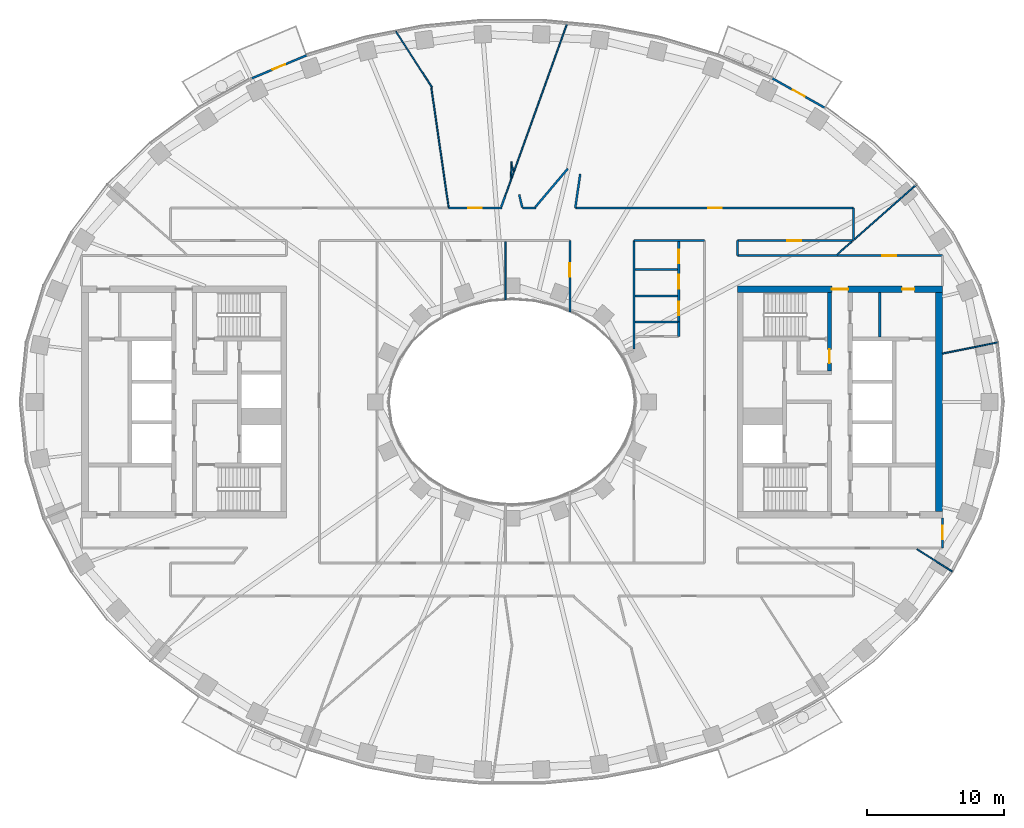
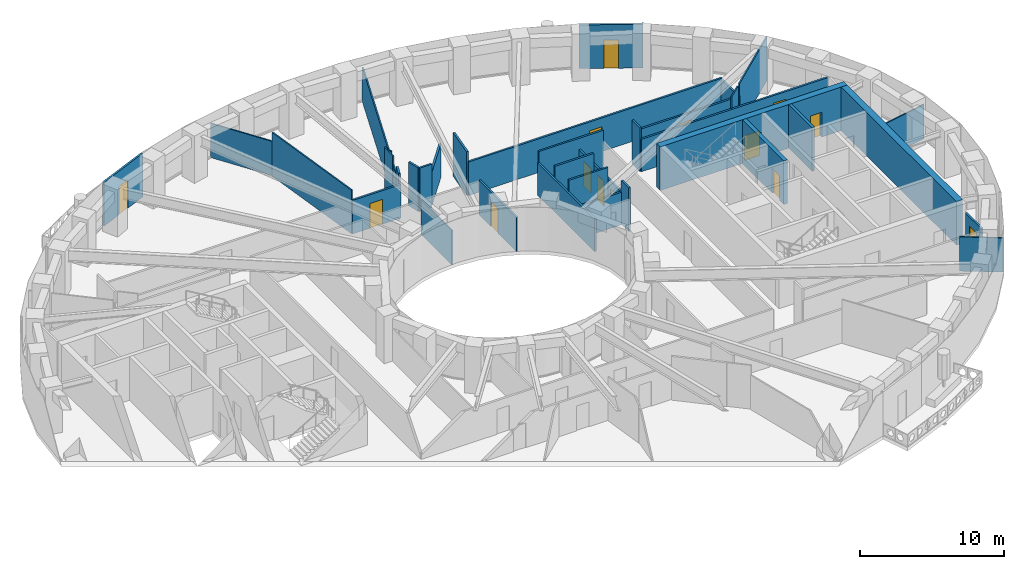
# One storey, part 6 of 15: 36 walls, 14 doors, 14 openings.
"""IFC4 building model written with IfcOpenShell, lengths in metres."""

from ifc_helpers import new_model, si_unit, direction, frame, frame_2d, origin, place, context, subcontext, project, spatial, rectangle, extrude, material, layer, layer_set, type_object, element, fill, save


model = new_model("IFC4")

# Units and contexts
model_context = context("Model", 3, precision=1e-05, world=origin(), true_north=direction((0.0, 1.0)))
body_context = subcontext(model_context, "Body", "Model", "MODEL_VIEW")
ifc_project = project(units=[si_unit("LENGTHUNIT", "METRE"), si_unit("AREAUNIT", "SQUARE_METRE"), si_unit("VOLUMEUNIT", "CUBIC_METRE"), si_unit("PLANEANGLEUNIT", "RADIAN"), si_unit("MASSUNIT", "GRAM", prefix="KILO")], contexts=[model_context])

# Site, building, storey
site_placement = place(None, origin())
site = spatial("IfcSite", under=ifc_project, at=site_placement, CompositionType="ELEMENT")
building_placement = place(site_placement, origin())
building = spatial("IfcBuilding", under=site, at=building_placement, Name="Noorbagh Ring Tower", CompositionType="ELEMENT")
storey_placement = place(building_placement, frame((0.0, 0.0, 128.0)))
storey = spatial("IfcBuildingStorey", under=building, at=storey_placement, Name="L29", CompositionType="ELEMENT", Elevation=128.0)

# Walls
ifc_material_1 = material(Name="Gypsum board on steel studs", Category="steel")
ifc_layer_1 = layer(ifc_material_1, 0.14990234375)
ifc_layer_set_1 = layer_set([ifc_layer_1], Name="Gypsum board on steel studs")
wall_type_1 = type_object("IfcWallType", Name="COMPARTMENT PARTITION 150 EI 60", PredefinedType="PARTITIONING", material=ifc_layer_set_1)
wall_1_placement = place(storey_placement, frame((9.0, 5.85009765625, 0.0), z_axis=(0.0, 0.0, 1.0), x_axis=(1.0, 0.0, 0.0)))
element("IfcWall", 1, at=wall_1_placement, inside=storey, type_object=wall_type_1, Name="L29/wall/P53", PredefinedType="PARTITIONING", context=body_context, shape_type="SweptSolid", body=[
    extrude(rectangle(XDim=3.199951171875, YDim=0.14990234375, at=frame_2d((1.60009765625, 0.0))), origin(), (0.0, 0.0, 1.0), 2.75),
])
wall_2_placement = place(storey_placement, frame((12.199951171875, 4.800048828125, 0.0), z_axis=(0.0, 0.0, 1.0), x_axis=(0.0, 1.0, 0.0)))
element("IfcWall", 2, at=wall_2_placement, inside=storey, type_object=wall_type_1, Name="L29/wall/P57", PredefinedType="PARTITIONING", context=body_context, shape_type="SweptSolid", body=[
    extrude(rectangle(XDim=1.050048828125, YDim=0.14990234375, at=frame_2d((0.52490234375, 0.0))), origin(), (0.0, 0.0, 1.0), 3.699951171875),
])
ifc_material_2 = material(Name="Gypsum board on steel studs", Category="steel")
ifc_layer_2 = layer(ifc_material_2, 0.199951171875)
ifc_layer_set_2 = layer_set([ifc_layer_2], Name="Gypsum board on steel studs")
wall_type_2 = type_object("IfcWallType", Name="CORE-PARTITION-200", PredefinedType="PARTITIONING", material=ifc_layer_set_2)
wall_3_placement = place(storey_placement, frame((26.89990234375, 4.75, 0.0), z_axis=(0.0, 0.0, 1.0), x_axis=(0.0, 1.0, 0.0)))
element("IfcWall", 3, at=wall_3_placement, inside=storey, type_object=wall_type_2, Name="Core partition E", PredefinedType="PARTITIONING", context=body_context, shape_type="SweptSolid", body=[
    extrude(rectangle(XDim=3.25, YDim=0.199951171875, at=frame_2d((1.625, 0.0))), origin(), (0.0, 0.0, 1.0), 3.699951171875),
])

# Wall, opening, door
ifc_material_3 = material(Name="Concrete C70/85", Category="concrete")
ifc_layer_3 = layer(ifc_material_3, 0.300048828125)
ifc_layer_set_3 = layer_set([ifc_layer_3], Name="Concrete C70/85")
wall_type_3 = type_object("IfcWallType", Name="CORE-WALL-300-C70-85-EI240", PredefinedType="SHEAR", material=ifc_layer_set_3)
wall_4_placement = place(storey_placement, frame((23.22998046875, 2.25, 0.0), z_axis=(0.0, 0.0, 1.0), x_axis=(0.0, 1.0, 0.0)))
wall_4 = element("IfcWall", 4, at=wall_4_placement, inside=storey, type_object=wall_type_3, Name="Core wall E", PredefinedType="SHEAR", context=body_context, shape_type="SweptSolid", body=[
    extrude(rectangle(XDim=5.75, YDim=0.300048828125, at=frame_2d((2.875, 0.0))), origin(), (0.0, 0.0, 1.0), 3.699951171875),
])
opening_1_placement = place(wall_4_placement, frame((0.60009765625, 0.0, 0.0)))
opening_1 = element("IfcOpeningElement", 5, at=opening_1_placement, cuts=wall_4, Name="Opening L29-CE08", PredefinedType="OPENING", context=body_context, shape_type="SweptSolid", body=[
    extrude(rectangle(XDim=1.0, YDim=2.10009765625, at=frame_2d((0.5, 1.050048828125))), frame((0.0, 0.16015625, 0.0), z_axis=(0.0, -1.0, 0.0), x_axis=(1.0, 0.0, 0.0)), (0.0, 0.0, 1.0), 0.320068359375),
])
ifc_material_4 = material(Name="Steel door leaf", Category="steel")
door_type_1 = type_object("IfcDoorType", Name="CORE-DOOR-DVEST", OperationType="SINGLE_SWING_LEFT", PredefinedType="DOOR", material=ifc_material_4)
door_1_placement = place(opening_1_placement, origin())
door_1 = element("IfcDoor", 6, at=door_1_placement, inside=storey, type_object=door_type_1, Name="Stair vestibule door L29-CE08", OperationType="SINGLE_SWING_RIGHT", OverallHeight=2.10009765625, OverallWidth=1.0, PredefinedType="DOOR", context=body_context, shape_type="SweptSolid", body=[
    extrude(rectangle(XDim=1.0, YDim=2.10009765625, at=frame_2d((0.5, 1.050048828125))), frame((0.0, 0.02490234375, 0.0), z_axis=(0.0, -1.0, 0.0), x_axis=(1.0, 0.0, 0.0)), (0.0, 0.0, 1.0), 0.050048828125),
])
fill(opening_1, door_1)

# Wall, openings, doors
ifc_material_5 = material(Name="Concrete C70/85", Category="concrete")
ifc_layer_4 = layer(ifc_material_5, 0.5)
ifc_layer_set_4 = layer_set([ifc_layer_4], Name="Concrete C70/85")
wall_type_4 = type_object("IfcWallType", Name="CORE-WALL-500-C70-85-EI240", PredefinedType="SHEAR", material=ifc_layer_set_4)
wall_5_placement = place(storey_placement, frame((16.5, 8.25, 0.0), z_axis=(0.0, 0.0, 1.0), x_axis=(1.0, 0.0, 0.0)))
wall_5 = element("IfcWall", 7, at=wall_5_placement, inside=storey, type_object=wall_type_4, Name="Core wall E", PredefinedType="SHEAR", context=body_context, shape_type="SweptSolid", body=[
    extrude(rectangle(XDim=15.0, YDim=0.5, at=frame_2d((7.5, 0.0))), origin(), (0.0, 0.0, 1.0), 3.699951171875),
])
opening_2_placement = place(wall_5_placement, frame((6.89990234375, 0.0, 0.0)))
opening_2 = element("IfcOpeningElement", 8, at=opening_2_placement, cuts=wall_5, Name="Opening L29-CE09", PredefinedType="OPENING", context=body_context, shape_type="SweptSolid", body=[
    extrude(rectangle(XDim=1.199951171875, YDim=2.10009765625, at=frame_2d((0.60009765625, 1.050048828125))), frame((0.0, 0.260009765625, 0.0), z_axis=(0.0, -1.0, 0.0), x_axis=(1.0, 0.0, 0.0)), (0.0, 0.0, 1.0), 0.52001953125),
])
opening_3_placement = place(wall_5_placement, frame((12.050048828125, 0.0, 0.0)))
opening_3 = element("IfcOpeningElement", 9, at=opening_3_placement, cuts=wall_5, Name="Opening L29-CE13", PredefinedType="OPENING", context=body_context, shape_type="SweptSolid", body=[
    extrude(rectangle(XDim=0.89990234375, YDim=2.10009765625, at=frame_2d((0.449951171875, 1.050048828125))), frame((0.0, 0.260009765625, 0.0), z_axis=(0.0, -1.0, 0.0), x_axis=(1.0, 0.0, 0.0)), (0.0, 0.0, 1.0), 0.52001953125),
])
ifc_material_6 = material(Name="Steel door leaf", Category="steel")
door_type_2 = type_object("IfcDoorType", Name="CORE-DOOR-DROOM", OperationType="SINGLE_SWING_LEFT", PredefinedType="DOOR", material=ifc_material_6)
door_2_placement = place(opening_3_placement, origin())
door_2 = element("IfcDoor", 10, at=door_2_placement, inside=storey, type_object=door_type_2, Name="Core room door L29-CE13", OperationType="SINGLE_SWING_LEFT", OverallHeight=2.10009765625, OverallWidth=0.89990234375, PredefinedType="DOOR", context=body_context, shape_type="SweptSolid", body=[
    extrude(rectangle(XDim=0.89990234375, YDim=2.10009765625, at=frame_2d((0.449951171875, 1.050048828125))), frame((0.0, 0.02490234375, 0.0), z_axis=(0.0, -1.0, 0.0), x_axis=(1.0, 0.0, 0.0)), (0.0, 0.0, 1.0), 0.050048828125),
])
fill(opening_3, door_2)
ifc_material_7 = material(Name="Steel door leaf", Category="steel")
door_type_3 = type_object("IfcDoorType", Name="CORE-DOOR-PORT", OperationType="DOUBLE_DOOR_DOUBLE_SWING", PredefinedType="DOOR", material=ifc_material_7)
door_3_placement = place(opening_2_placement, origin())
door_3 = element("IfcDoor", 11, at=door_3_placement, inside=storey, type_object=door_type_3, Name="Core entrance door L29-CE09", OperationType="DOUBLE_DOOR_DOUBLE_SWING", OverallHeight=2.10009765625, OverallWidth=1.199951171875, PredefinedType="DOOR", context=body_context, shape_type="SweptSolid", body=[
    extrude(rectangle(XDim=1.199951171875, YDim=2.10009765625, at=frame_2d((0.60009765625, 1.050048828125))), frame((0.0, 0.02490234375, 0.0), z_axis=(0.0, -1.0, 0.0), x_axis=(1.0, 0.0, 0.0)), (0.0, 0.0, 1.0), 0.050048828125),
])
fill(opening_2, door_3)

# Wall
wall_6_placement = place(storey_placement, frame((31.25, -8.0, 0.0), z_axis=(0.0, 0.0, 1.0), x_axis=(0.0, 1.0, 0.0)))
element("IfcWall", 12, at=wall_6_placement, inside=storey, type_object=wall_type_4, Name="Core wall E", PredefinedType="SHEAR", context=body_context, shape_type="SweptSolid", body=[
    extrude(rectangle(XDim=16.0, YDim=0.5, at=frame_2d((8.0, 0.0))), origin(), (0.0, 0.0, 1.0), 3.699951171875),
])

# Wall, opening, door
ifc_material_8 = material(Name="Gypsum board on steel studs", Category="steel")
ifc_layer_5 = layer(ifc_material_8, 0.14990234375)
ifc_layer_set_5 = layer_set([ifc_layer_5], Name="Gypsum board on steel studs")
wall_type_5 = type_object("IfcWallType", Name="CORRIDOR PARTITION 150 EI 30", PredefinedType="PARTITIONING", material=ifc_layer_set_5)
wall_7_placement = place(storey_placement, frame((-4.632080078125, 14.199951171875, 0.0), z_axis=(0.0, 0.0, 1.0), x_axis=(1.0, 0.0, 0.0)))
wall_7 = element("IfcWall", 13, at=wall_7_placement, inside=storey, type_object=wall_type_5, Name="L29/wall/P28", PredefinedType="PARTITIONING", context=body_context, shape_type="SweptSolid", body=[
    extrude(rectangle(XDim=3.89697265625, YDim=0.14990234375, at=frame_2d((1.948486328125, 0.0))), origin(), (0.0, 0.0, 1.0), 2.85009765625),
])
opening_4_placement = place(wall_7_placement, frame((1.4169921875, 0.0, 0.0)))
opening_4 = element("IfcOpeningElement", 14, at=opening_4_placement, cuts=wall_7, Name="Opening D1", PredefinedType="OPENING", context=body_context, shape_type="SweptSolid", body=[
    extrude(rectangle(XDim=1.0, YDim=2.10009765625, at=frame_2d((0.5, 1.050048828125))), frame((0.0, 0.0849609375, 0.0), z_axis=(0.0, -1.0, 0.0), x_axis=(1.0, 0.0, 0.0)), (0.0, 0.0, 1.0), 0.169921875),
])
ifc_material_9 = material(Name="Timber, painted", Category="wood")
door_type_4 = type_object("IfcDoorType", Name="DOOR 1000 X 2100 FD30", OperationType="SINGLE_SWING_LEFT", PredefinedType="DOOR", material=ifc_material_9)
door_4_placement = place(opening_4_placement, origin())
door_4 = element("IfcDoor", 15, at=door_4_placement, inside=storey, type_object=door_type_4, Name="L29-D13", OperationType="SINGLE_SWING_LEFT", OverallHeight=2.10009765625, OverallWidth=1.0, PredefinedType="DOOR", context=body_context, shape_type="SweptSolid", body=[
    extrude(rectangle(XDim=1.0, YDim=2.10009765625, at=frame_2d((0.5, 1.050048828125))), frame((0.0, 0.02490234375, 0.0), z_axis=(0.0, -1.0, 0.0), x_axis=(1.0, 0.0, 0.0)), (0.0, 0.0, 1.0), 0.050048828125),
])
fill(opening_4, door_4)

# Walls
wall_8_placement = place(storey_placement, frame((-0.7880859375, 14.27490234375, 0.0), z_axis=(0.0, 0.0, 1.0), x_axis=(0.339806666964, 0.940495310508, 0.0)))
element("IfcWall", 16, at=wall_8_placement, inside=storey, type_object=wall_type_5, Name="L29/wall/P30", PredefinedType="PARTITIONING", context=body_context, shape_type="SweptSolid", body=[
    extrude(rectangle(XDim=0.8505859375, YDim=0.14990234375, at=frame_2d((0.42529296875, 0.0))), origin(), (0.0, 0.0, 1.0), 3.699951171875),
])
wall_9_placement = place(storey_placement, frame((0.52490234375, 15.1689453125, 0.0), z_axis=(0.0, 0.0, 1.0), x_axis=(0.239336638609, -0.97093664748, 0.0)))
element("IfcWall", 17, at=wall_9_placement, inside=storey, type_object=wall_type_5, Name="L29/wall/P37", PredefinedType="PARTITIONING", context=body_context, shape_type="SweptSolid", body=[
    extrude(rectangle(XDim=0.969970703125, YDim=0.14990234375, at=frame_2d((0.48486328125, 0.0))), origin(), (0.0, 0.0, 1.0), 3.699951171875),
])
wall_10_placement = place(storey_placement, frame((0.763916015625, 14.199951171875, 0.0), z_axis=(0.0, 0.0, 1.0), x_axis=(1.0, 0.0, 0.0)))
element("IfcWall", 18, at=wall_10_placement, inside=storey, type_object=wall_type_5, Name="L29/wall/P39", PredefinedType="PARTITIONING", context=body_context, shape_type="SweptSolid", body=[
    extrude(rectangle(XDim=0.987060546875, YDim=0.14990234375, at=frame_2d((0.49365234375, 0.0))), origin(), (0.0, 0.0, 1.0), 3.699951171875),
])
wall_11_placement = place(storey_placement, frame((1.717041015625, 14.27490234375, 0.0), z_axis=(0.0, 0.0, 1.0), x_axis=(0.64627898285, 0.763101222857, 0.0)))
element("IfcWall", 19, at=wall_11_placement, inside=storey, type_object=wall_type_5, Name="L29/wall/P40", PredefinedType="PARTITIONING", context=body_context, shape_type="SweptSolid", body=[
    extrude(rectangle(XDim=3.671875, YDim=0.14990234375, at=frame_2d((1.8359375, 0.0))), origin(), (0.0, 0.0, 1.0), 2.85009765625),
])

# Wall, opening, door
wall_12_placement = place(storey_placement, frame((4.22998046875, 6.592041015625, 0.0), z_axis=(0.0, 0.0, 1.0), x_axis=(0.0, 1.0, 0.0)))
wall_12 = element("IfcWall", 20, at=wall_12_placement, inside=storey, type_object=wall_type_5, Name="L29/wall/P42", PredefinedType="PARTITIONING", context=body_context, shape_type="SweptSolid", body=[
    extrude(rectangle(XDim=5.2080078125, YDim=0.14990234375, at=frame_2d((2.60400390625, 0.0))), origin(), (0.0, 0.0, 1.0), 2.89990234375),
])
opening_5_placement = place(wall_12_placement, frame((2.55810546875, 0.0, 0.0)))
opening_5 = element("IfcOpeningElement", 21, at=opening_5_placement, cuts=wall_12, Name="Opening D1", PredefinedType="OPENING", context=body_context, shape_type="SweptSolid", body=[
    extrude(rectangle(XDim=1.0, YDim=2.10009765625, at=frame_2d((0.5, 1.050048828125))), frame((0.0, 0.0849609375, 0.0), z_axis=(0.0, -1.0, 0.0), x_axis=(1.0, 0.0, 0.0)), (0.0, 0.0, 1.0), 0.169921875),
])
door_5_placement = place(opening_5_placement, origin())
door_5 = element("IfcDoor", 22, at=door_5_placement, inside=storey, type_object=door_type_4, Name="L29-D26", OperationType="SINGLE_SWING_LEFT", OverallHeight=2.10009765625, OverallWidth=1.0, PredefinedType="DOOR", context=body_context, shape_type="SweptSolid", body=[
    extrude(rectangle(XDim=1.0, YDim=2.10009765625, at=frame_2d((0.5, 1.050048828125))), frame((0.0, 0.02490234375, 0.0), z_axis=(0.0, -1.0, 0.0), x_axis=(1.0, 0.0, 0.0)), (0.0, 0.0, 1.0), 0.050048828125),
])
fill(opening_5, door_5)

# Wall
wall_13_placement = place(storey_placement, frame((4.632080078125, 14.199951171875, 0.0), z_axis=(0.0, 0.0, 1.0), x_axis=(0.143111225566, 0.989706611636, 0.0)))
element("IfcWall", 23, at=wall_13_placement, inside=storey, type_object=wall_type_5, Name="L29/wall/P44", PredefinedType="PARTITIONING", context=body_context, shape_type="SweptSolid", body=[
    extrude(rectangle(XDim=2.5078125, YDim=0.14990234375, at=frame_2d((1.25390625, 0.0))), origin(), (0.0, 0.0, 1.0), 3.699951171875),
])

# Wall, opening, door
wall_14_placement = place(storey_placement, frame((4.652099609375, 14.199951171875, 0.0), z_axis=(0.0, 0.0, 1.0), x_axis=(1.0, 0.0, 0.0)))
wall_14 = element("IfcWall", 24, at=wall_14_placement, inside=storey, type_object=wall_type_5, Name="L29/wall/P45", PredefinedType="PARTITIONING", context=body_context, shape_type="SweptSolid", body=[
    extrude(rectangle(XDim=20.347900390625, YDim=0.14990234375, at=frame_2d((10.173828125, 0.0))), origin(), (0.0, 0.0, 1.0), 2.85009765625),
])
opening_6_placement = place(wall_14_placement, frame((9.697998046875, 0.0, 0.0)))
opening_6 = element("IfcOpeningElement", 25, at=opening_6_placement, cuts=wall_14, Name="Opening D1", PredefinedType="OPENING", context=body_context, shape_type="SweptSolid", body=[
    extrude(rectangle(XDim=1.0, YDim=2.10009765625, at=frame_2d((0.5, 1.050048828125))), frame((0.0, 0.0849609375, 0.0), z_axis=(0.0, -1.0, 0.0), x_axis=(1.0, 0.0, 0.0)), (0.0, 0.0, 1.0), 0.169921875),
])
door_6_placement = place(opening_6_placement, origin())
door_6 = element("IfcDoor", 26, at=door_6_placement, inside=storey, type_object=door_type_4, Name="L29-D15", OperationType="SINGLE_SWING_LEFT", OverallHeight=2.10009765625, OverallWidth=1.0, PredefinedType="DOOR", context=body_context, shape_type="SweptSolid", body=[
    extrude(rectangle(XDim=1.0, YDim=2.10009765625, at=frame_2d((0.5, 1.050048828125))), frame((0.0, 0.02490234375, 0.0), z_axis=(0.0, -1.0, 0.0), x_axis=(1.0, 0.0, 0.0)), (0.0, 0.0, 1.0), 0.050048828125),
])
fill(opening_6, door_6)

# Walls
wall_15_placement = place(storey_placement, frame((8.929931640625, 3.87890625, 0.0), z_axis=(0.0, 0.0, 1.0), x_axis=(0.0, 1.0, 0.0)))
element("IfcWall", 27, at=wall_15_placement, inside=storey, type_object=wall_type_5, Name="L29/wall/P51", PredefinedType="PARTITIONING", context=body_context, shape_type="SweptSolid", body=[
    extrude(rectangle(XDim=7.921142578125, YDim=0.14990234375, at=frame_2d((3.96044921875, 0.0))), origin(), (0.0, 0.0, 1.0), 2.75),
])
wall_16_placement = place(storey_placement, frame((8.929931640625, 11.800048828125, 0.0), z_axis=(0.0, 0.0, 1.0), x_axis=(1.0, 0.0, 0.0)))
element("IfcWall", 28, at=wall_16_placement, inside=storey, type_object=wall_type_5, Name="L29/wall/P52", PredefinedType="PARTITIONING", context=body_context, shape_type="SweptSolid", body=[
    extrude(rectangle(XDim=5.170166015625, YDim=0.14990234375, at=frame_2d((2.5849609375, 0.0))), origin(), (0.0, 0.0, 1.0), 3.699951171875),
])
for number, where, z_axis, x_axis, name in (
    (29, (9.0, 7.739990234375, 0.0), (0.0, 0.0, 1.0), (1.0, 0.0, 0.0), "L29/wall/P54"),
    (30, (9.0, 9.699951171875, 0.0), (0.0, 0.0, 1.0), (1.0, 0.0, 0.0), "L29/wall/P55"),
):
    element("IfcWall", number, at=place(storey_placement, frame(where, z_axis=z_axis, x_axis=x_axis)), inside=storey, type_object=wall_type_5, Name=name, PredefinedType="PARTITIONING", context=body_context, shape_type="SweptSolid", body=[
        extrude(rectangle(XDim=3.125, YDim=0.14990234375, at=frame_2d((1.5625, 0.0))), origin(), (0.0, 0.0, 1.0), 3.699951171875),
    ])

# Wall, openings, doors
wall_17_placement = place(storey_placement, frame((12.199951171875, 5.85009765625, 0.0), z_axis=(0.0, 0.0, 1.0), x_axis=(0.0, 1.0, 0.0)))
wall_17 = element("IfcWall", 31, at=wall_17_placement, inside=storey, type_object=wall_type_5, Name="L29/wall/P58", PredefinedType="PARTITIONING", context=body_context, shape_type="SweptSolid", body=[
    extrude(rectangle(XDim=5.875, YDim=0.14990234375, at=frame_2d((2.9375, 0.0))), origin(), (0.0, 0.0, 1.0), 2.75),
])
opening_7_placement = place(wall_17_placement, frame((4.300048828125, 0.0, 0.0)))
opening_7 = element("IfcOpeningElement", 32, at=opening_7_placement, cuts=wall_17, Name="Opening D3", PredefinedType="OPENING", context=body_context, shape_type="SweptSolid", body=[
    extrude(rectangle(XDim=1.0, YDim=2.10009765625, at=frame_2d((0.5, 1.050048828125))), frame((0.0, 0.0849609375, 0.0), z_axis=(0.0, -1.0, 0.0), x_axis=(1.0, 0.0, 0.0)), (0.0, 0.0, 1.0), 0.169921875),
])
opening_8_placement = place(wall_17_placement, frame((2.449951171875, 0.0, 0.0)))
opening_8 = element("IfcOpeningElement", 33, at=opening_8_placement, cuts=wall_17, Name="Opening D3", PredefinedType="OPENING", context=body_context, shape_type="SweptSolid", body=[
    extrude(rectangle(XDim=1.0, YDim=2.10009765625, at=frame_2d((0.5, 1.050048828125))), frame((0.0, 0.0849609375, 0.0), z_axis=(0.0, -1.0, 0.0), x_axis=(1.0, 0.0, 0.0)), (0.0, 0.0, 1.0), 0.169921875),
])
opening_9_placement = place(wall_17_placement, frame((0.489990234375, 0.0, 0.0)))
opening_9 = element("IfcOpeningElement", 34, at=opening_9_placement, cuts=wall_17, Name="Opening D3", PredefinedType="OPENING", context=body_context, shape_type="SweptSolid", body=[
    extrude(rectangle(XDim=1.0, YDim=2.10009765625, at=frame_2d((0.5, 1.050048828125))), frame((0.0, 0.0849609375, 0.0), z_axis=(0.0, -1.0, 0.0), x_axis=(1.0, 0.0, 0.0)), (0.0, 0.0, 1.0), 0.169921875),
])
ifc_material_10 = material(Name="Timber, painted", Category="wood")
door_type_5 = type_object("IfcDoorType", Name="DOOR 1000 X 2100 WC", OperationType="SINGLE_SWING_LEFT", PredefinedType="DOOR", material=ifc_material_10)
door_7_placement = place(opening_7_placement, origin())
door_7 = element("IfcDoor", 35, at=door_7_placement, inside=storey, type_object=door_type_5, Name="L29-D02", OperationType="SINGLE_SWING_RIGHT", OverallHeight=2.10009765625, OverallWidth=1.0, PredefinedType="DOOR", context=body_context, shape_type="SweptSolid", body=[
    extrude(rectangle(XDim=1.0, YDim=2.10009765625, at=frame_2d((0.5, 1.050048828125))), frame((0.0, 0.02490234375, 0.0), z_axis=(0.0, -1.0, 0.0), x_axis=(1.0, 0.0, 0.0)), (0.0, 0.0, 1.0), 0.050048828125),
])
fill(opening_7, door_7)
door_8_placement = place(opening_8_placement, origin())
door_8 = element("IfcDoor", 36, at=door_8_placement, inside=storey, type_object=door_type_5, Name="L29-D03", OperationType="SINGLE_SWING_LEFT", OverallHeight=2.10009765625, OverallWidth=1.0, PredefinedType="DOOR", context=body_context, shape_type="SweptSolid", body=[
    extrude(rectangle(XDim=1.0, YDim=2.10009765625, at=frame_2d((0.5, 1.050048828125))), frame((0.0, 0.02490234375, 0.0), z_axis=(0.0, -1.0, 0.0), x_axis=(1.0, 0.0, 0.0)), (0.0, 0.0, 1.0), 0.050048828125),
])
fill(opening_8, door_8)
door_9_placement = place(opening_9_placement, origin())
door_9 = element("IfcDoor", 37, at=door_9_placement, inside=storey, type_object=door_type_5, Name="L29-D04", OperationType="SINGLE_SWING_RIGHT", OverallHeight=2.10009765625, OverallWidth=1.0, PredefinedType="DOOR", context=body_context, shape_type="SweptSolid", body=[
    extrude(rectangle(XDim=1.0, YDim=2.10009765625, at=frame_2d((0.5, 1.050048828125))), frame((0.0, 0.02490234375, 0.0), z_axis=(0.0, -1.0, 0.0), x_axis=(1.0, 0.0, 0.0)), (0.0, 0.0, 1.0), 0.050048828125),
])
fill(opening_9, door_9)

# Wall
wall_18_placement = place(storey_placement, frame((16.5, 10.699951171875, 0.0), z_axis=(0.0, 0.0, 1.0), x_axis=(0.0, 1.0, 0.0)))
element("IfcWall", 38, at=wall_18_placement, inside=storey, type_object=wall_type_5, Name="L29/wall/P63", PredefinedType="PARTITIONING", context=body_context, shape_type="SweptSolid", body=[
    extrude(rectangle(XDim=1.10009765625, YDim=0.14990234375, at=frame_2d((0.550048828125, 0.0))), origin(), (0.0, 0.0, 1.0), 3.699951171875),
])

# Wall, opening, door
wall_19_placement = place(storey_placement, frame((16.5, 10.699951171875, 0.0), z_axis=(0.0, 0.0, 1.0), x_axis=(1.0, 0.0, 0.0)))
wall_19 = element("IfcWall", 39, at=wall_19_placement, inside=storey, type_object=wall_type_5, Name="L29/wall/P64", PredefinedType="PARTITIONING", context=body_context, shape_type="SweptSolid", body=[
    extrude(rectangle(XDim=15.0, YDim=0.14990234375, at=frame_2d((7.5, 0.0))), origin(), (0.0, 0.0, 1.0), 2.75),
])
opening_10_placement = place(wall_19_placement, frame((10.60009765625, 0.0, 0.0)))
opening_10 = element("IfcOpeningElement", 40, at=opening_10_placement, cuts=wall_19, Name="Opening D1", PredefinedType="OPENING", context=body_context, shape_type="SweptSolid", body=[
    extrude(rectangle(XDim=1.0, YDim=2.10009765625, at=frame_2d((0.5, 1.050048828125))), frame((0.0, 0.0849609375, 0.0), z_axis=(0.0, -1.0, 0.0), x_axis=(1.0, 0.0, 0.0)), (0.0, 0.0, 1.0), 0.169921875),
])
door_10_placement = place(opening_10_placement, origin())
door_10 = element("IfcDoor", 41, at=door_10_placement, inside=storey, type_object=door_type_4, Name="L29-D19", OperationType="SINGLE_SWING_LEFT", OverallHeight=2.10009765625, OverallWidth=1.0, PredefinedType="DOOR", context=body_context, shape_type="SweptSolid", body=[
    extrude(rectangle(XDim=1.0, YDim=2.10009765625, at=frame_2d((0.5, 1.050048828125))), frame((0.0, 0.02490234375, 0.0), z_axis=(0.0, -1.0, 0.0), x_axis=(1.0, 0.0, 0.0)), (0.0, 0.0, 1.0), 0.050048828125),
])
fill(opening_10, door_10)

wall_20_placement = place(storey_placement, frame((16.5, 11.800048828125, 0.0), z_axis=(0.0, 0.0, 1.0), x_axis=(1.0, 0.0, 0.0)))
wall_20 = element("IfcWall", 42, at=wall_20_placement, inside=storey, type_object=wall_type_5, Name="L29/wall/P65", PredefinedType="PARTITIONING", context=body_context, shape_type="SweptSolid", body=[
    extrude(rectangle(XDim=8.5, YDim=0.14990234375, at=frame_2d((4.25, 0.0))), origin(), (0.0, 0.0, 1.0), 2.75),
])
opening_11_placement = place(wall_20_placement, frame((3.64990234375, 0.0, 0.0)))
opening_11 = element("IfcOpeningElement", 43, at=opening_11_placement, cuts=wall_20, Name="Opening D1", PredefinedType="OPENING", context=body_context, shape_type="SweptSolid", body=[
    extrude(rectangle(XDim=1.0, YDim=2.10009765625, at=frame_2d((0.5, 1.050048828125))), frame((0.0, 0.0849609375, 0.0), z_axis=(0.0, -1.0, 0.0), x_axis=(1.0, 0.0, 0.0)), (0.0, 0.0, 1.0), 0.169921875),
])
door_11_placement = place(opening_11_placement, origin())
door_11 = element("IfcDoor", 44, at=door_11_placement, inside=storey, type_object=door_type_4, Name="L29-D18", OperationType="SINGLE_SWING_RIGHT", OverallHeight=2.10009765625, OverallWidth=1.0, PredefinedType="DOOR", context=body_context, shape_type="SweptSolid", body=[
    extrude(rectangle(XDim=1.0, YDim=2.10009765625, at=frame_2d((0.5, 1.050048828125))), frame((0.0, 0.02490234375, 0.0), z_axis=(0.0, -1.0, 0.0), x_axis=(1.0, 0.0, 0.0)), (0.0, 0.0, 1.0), 0.050048828125),
])
fill(opening_11, door_11)

# Wall
wall_21_placement = place(storey_placement, frame((25.0, 11.800048828125, 0.0), z_axis=(0.0, 0.0, 1.0), x_axis=(0.0, 1.0, 0.0)))
element("IfcWall", 45, at=wall_21_placement, inside=storey, type_object=wall_type_5, Name="L29/wall/P69", PredefinedType="PARTITIONING", context=body_context, shape_type="SweptSolid", body=[
    extrude(rectangle(XDim=2.39990234375, YDim=0.14990234375, at=frame_2d((1.199951171875, 0.0))), origin(), (0.0, 0.0, 1.0), 2.75),
])

# Wall, opening, door
wall_22_placement = place(storey_placement, frame((31.5, -10.699951171875, 0.0), z_axis=(0.0, 0.0, 1.0), x_axis=(0.0, 1.0, 0.0)))
wall_22 = element("IfcWall", 46, at=wall_22_placement, inside=storey, type_object=wall_type_5, Name="L29/wall/P72", PredefinedType="PARTITIONING", context=body_context, shape_type="SweptSolid", body=[
    extrude(rectangle(XDim=2.199951171875, YDim=0.14990234375, at=frame_2d((1.10009765625, 0.0))), origin(), (0.0, 0.0, 1.0), 2.89990234375),
])
opening_12_placement = place(wall_22_placement, frame((0.64990234375, 0.0, 0.0)))
opening_12 = element("IfcOpeningElement", 47, at=opening_12_placement, cuts=wall_22, Name="Opening D1", PredefinedType="OPENING", context=body_context, shape_type="SweptSolid", body=[
    extrude(rectangle(XDim=1.0, YDim=2.10009765625, at=frame_2d((0.5, 1.050048828125))), frame((0.0, 0.0849609375, 0.0), z_axis=(0.0, -1.0, 0.0), x_axis=(1.0, 0.0, 0.0)), (0.0, 0.0, 1.0), 0.169921875),
])
door_12_placement = place(opening_12_placement, origin())
door_12 = element("IfcDoor", 48, at=door_12_placement, inside=storey, type_object=door_type_4, Name="L29-D20", OperationType="SINGLE_SWING_RIGHT", OverallHeight=2.10009765625, OverallWidth=1.0, PredefinedType="DOOR", context=body_context, shape_type="SweptSolid", body=[
    extrude(rectangle(XDim=1.0, YDim=2.10009765625, at=frame_2d((0.5, 1.050048828125))), frame((0.0, 0.02490234375, 0.0), z_axis=(0.0, -1.0, 0.0), x_axis=(1.0, 0.0, 0.0)), (0.0, 0.0, 1.0), 0.050048828125),
])
fill(opening_12, door_12)

ifc_material_11 = material(Name="Insulated aluminium clad panel", Category="aluminium")
ifc_layer_6 = layer(ifc_material_11, 0.14990234375)
ifc_layer_set_6 = layer_set([ifc_layer_6], Name="Insulated aluminium clad panel")
wall_type_6 = type_object("IfcWallType", Name="ENV-WALL-DOOR", PredefinedType="STANDARD", material=ifc_layer_set_6)
wall_23_placement = place(storey_placement, frame((22.913330078125, 21.508544921875, 0.0), z_axis=(0.0, 0.0, 1.0), x_axis=(-0.872046572975, 0.489422899509, 0.0)))
wall_23 = element("IfcWall", 49, at=wall_23_placement, inside=storey, type_object=wall_type_6, Name="Balcony door wall chord 07", PredefinedType="STANDARD", context=body_context, shape_type="SweptSolid", body=[
    extrude(rectangle(XDim=4.425537109375, YDim=0.14990234375, at=frame_2d((2.212890625, 0.0))), origin(), (0.0, 0.0, 1.0), 3.699951171875),
])
opening_13_placement = place(wall_23_placement, frame((1.712646484375, 0.0, 0.0)))
opening_13 = element("IfcOpeningElement", 50, at=opening_13_placement, cuts=wall_23, Name="Opening D-BL", PredefinedType="OPENING", context=body_context, shape_type="SweptSolid", body=[
    extrude(rectangle(XDim=1.0, YDim=2.39990234375, at=frame_2d((0.5, 1.199951171875))), frame((0.0, 0.0849609375, 0.0), z_axis=(0.0, -1.0, 0.0), x_axis=(1.0, 0.0, 0.0)), (0.0, 0.0, 1.0), 0.169921875),
])
ifc_material_12 = material(Name="Aluminium and glass", Category="aluminium")
door_type_6 = type_object("IfcDoorType", Name="ENV-DOOR-BALCONY", OperationType="SINGLE_SWING_LEFT", PredefinedType="DOOR", material=ifc_material_12)
door_13_placement = place(opening_13_placement, origin())
door_13 = element("IfcDoor", 51, at=door_13_placement, inside=storey, type_object=door_type_6, Name="Balcony door chord 07", OperationType="SINGLE_SWING_RIGHT", OverallHeight=2.39990234375, OverallWidth=1.0, PredefinedType="DOOR", context=body_context, shape_type="SweptSolid", body=[
    extrude(rectangle(XDim=1.0, YDim=2.39990234375, at=frame_2d((0.5, 1.199951171875))), frame((0.0, 0.02490234375, 0.0), z_axis=(0.0, -1.0, 0.0), x_axis=(1.0, 0.0, 0.0)), (0.0, 0.0, 1.0), 0.050048828125),
])
fill(opening_13, door_13)

wall_24_placement = place(storey_placement, frame((-15.017822265625, 25.368896484375, 0.0), z_axis=(0.0, 0.0, 1.0), x_axis=(-0.921816985161, -0.387625393736, 0.0)))
wall_24 = element("IfcWall", 52, at=wall_24_placement, inside=storey, type_object=wall_type_6, Name="Balcony door wall chord 16", PredefinedType="STANDARD", context=body_context, shape_type="SweptSolid", body=[
    extrude(rectangle(XDim=4.42578125, YDim=0.14990234375, at=frame_2d((2.212890625, 0.0))), origin(), (0.0, 0.0, 1.0), 3.699951171875),
])
opening_14_placement = place(wall_24_placement, frame((1.712890625, 0.0, 0.0)))
opening_14 = element("IfcOpeningElement", 53, at=opening_14_placement, cuts=wall_24, Name="Opening D-BL", PredefinedType="OPENING", context=body_context, shape_type="SweptSolid", body=[
    extrude(rectangle(XDim=1.0, YDim=2.39990234375, at=frame_2d((0.5, 1.199951171875))), frame((0.0, 0.0849609375, 0.0), z_axis=(0.0, -1.0, 0.0), x_axis=(1.0, 0.0, 0.0)), (0.0, 0.0, 1.0), 0.169921875),
])
door_14_placement = place(opening_14_placement, origin())
door_14 = element("IfcDoor", 54, at=door_14_placement, inside=storey, type_object=door_type_6, Name="Balcony door chord 16", OperationType="SINGLE_SWING_RIGHT", OverallHeight=2.39990234375, OverallWidth=1.0, PredefinedType="DOOR", context=body_context, shape_type="SweptSolid", body=[
    extrude(rectangle(XDim=1.0, YDim=2.39990234375, at=frame_2d((0.5, 1.199951171875))), frame((0.0, 0.02490234375, 0.0), z_axis=(0.0, -1.0, 0.0), x_axis=(1.0, 0.0, 0.0)), (0.0, 0.0, 1.0), 0.050048828125),
])
fill(opening_14, door_14)

# Walls
ifc_material_13 = material(Name="Gypsum board on steel studs", Category="steel")
ifc_layer_7 = layer(ifc_material_13, 0.10009765625)
ifc_layer_set_7 = layer_set([ifc_layer_7], Name="Gypsum board on steel studs")
wall_type_7 = type_object("IfcWallType", Name="PARTITION 100 GYPSUM", PredefinedType="PARTITIONING", material=ifc_layer_set_7)
wall_25_placement = place(storey_placement, frame((-8.490966796875, 27.10400390625, 0.0), z_axis=(0.0, 0.0, 1.0), x_axis=(0.542285995048, -0.840193965448, 0.0)))
element("IfcWall", 55, at=wall_25_placement, inside=storey, type_object=wall_type_7, Name="L29/wall/P24", PredefinedType="PARTITIONING", context=body_context, shape_type="SweptSolid", body=[
    extrude(rectangle(XDim=4.857177734375, YDim=0.10009765625, at=frame_2d((2.4287109375, 0.0))), origin(), (0.0, 0.0, 1.0), 2.89990234375),
])
wall_26_placement = place(storey_placement, frame((-5.905029296875, 23.0048828125, 0.0), z_axis=(0.0, 0.0, 1.0), x_axis=(0.14308471533, -0.989710444645, 0.0)))
element("IfcWall", 56, at=wall_26_placement, inside=storey, type_object=wall_type_7, Name="L29/wall/P25", PredefinedType="PARTITIONING", context=body_context, shape_type="SweptSolid", body=[
    extrude(rectangle(XDim=8.896484375, YDim=0.10009765625, at=frame_2d((4.4482421875, 0.0))), origin(), (0.0, 0.0, 1.0), 3.699951171875),
])
wall_27_placement = place(storey_placement, frame((-0.509033203125, 15.051025390625, 0.0), z_axis=(0.0, 0.0, 1.0), x_axis=(0.338401519309, 0.941001812819, 0.0)))
element("IfcWall", 57, at=wall_27_placement, inside=storey, type_object=wall_type_7, Name="L29/wall/P31", PredefinedType="PARTITIONING", context=body_context, shape_type="SweptSolid", body=[
    extrude(rectangle(XDim=13.460205078125, YDim=0.10009765625, at=frame_2d((6.72998046875, 0.0))), origin(), (0.0, 0.0, 1.0), 2.89990234375),
])
wall_28_placement = place(storey_placement, frame((-0.469970703125, 7.468994140625, 0.0), z_axis=(0.0, 0.0, 1.0), x_axis=(0.0, 1.0, 0.0)))
element("IfcWall", 58, at=wall_28_placement, inside=storey, type_object=wall_type_7, Name="L29/wall/P34", PredefinedType="PARTITIONING", context=body_context, shape_type="SweptSolid", body=[
    extrude(rectangle(XDim=4.256103515625, YDim=0.10009765625, at=frame_2d((2.1279296875, 0.0))), origin(), (0.0, 0.0, 1.0), 2.89990234375),
])
wall_29_placement = place(storey_placement, frame((-0.083984375, 16.35595703125, 0.0), z_axis=(0.0, 0.0, 1.0), x_axis=(0.047967320325, 0.998848905581, 0.0)))
element("IfcWall", 59, at=wall_29_placement, inside=storey, type_object=wall_type_7, Name="L29/wall/P35", PredefinedType="PARTITIONING", context=body_context, shape_type="SweptSolid", body=[
    extrude(rectangle(XDim=1.21142578125, YDim=0.10009765625, at=frame_2d((0.605712890625, 0.0))), origin(), (0.0, 0.0, 1.0), 3.699951171875),
])
wall_30_placement = place(storey_placement, frame((0.001953125, 17.283935546875, 0.0), z_axis=(0.0, 0.0, 1.0), x_axis=(0.240121592304, -0.970742819139, 0.0)))
element("IfcWall", 60, at=wall_30_placement, inside=storey, type_object=wall_type_7, Name="L29/wall/P36", PredefinedType="PARTITIONING", context=body_context, shape_type="SweptSolid", body=[
    extrude(rectangle(XDim=0.404541015625, YDim=0.10009765625, at=frame_2d((0.2021484375, 0.0))), origin(), (0.0, 0.0, 1.0), 3.699951171875),
])
wall_31_placement = place(storey_placement, frame((23.784912109375, 10.778076171875, 0.0), z_axis=(0.0, 0.0, 1.0), x_axis=(0.749052165765, 0.662511021013, 0.0)))
element("IfcWall", 61, at=wall_31_placement, inside=storey, type_object=wall_type_7, Name="L29/wall/P67", PredefinedType="PARTITIONING", context=body_context, shape_type="SweptSolid", body=[
    extrude(rectangle(XDim=1.424560546875, YDim=0.10009765625, at=frame_2d((0.71240234375, 0.0))), origin(), (0.0, 0.0, 1.0), 3.699951171875),
])
wall_32_placement = place(storey_placement, frame((25.077880859375, 11.9208984375, 0.0), z_axis=(0.0, 0.0, 1.0), x_axis=(0.748903310324, 0.662679282749, 0.0)))
element("IfcWall", 62, at=wall_32_placement, inside=storey, type_object=wall_type_7, Name="L29/wall/P70", PredefinedType="PARTITIONING", context=body_context, shape_type="SweptSolid", body=[
    extrude(rectangle(XDim=5.9970703125, YDim=0.10009765625, at=frame_2d((2.99853515625, 0.0))), origin(), (0.0, 0.0, 1.0), 3.699951171875),
])
wall_33_placement = place(storey_placement, frame((29.636962890625, -10.777099609375, 0.0), z_axis=(0.0, 0.0, 1.0), x_axis=(0.844810627195, -0.535065420467, 0.0)))
element("IfcWall", 63, at=wall_33_placement, inside=storey, type_object=wall_type_7, Name="L29/wall/P71", PredefinedType="PARTITIONING", context=body_context, shape_type="SweptSolid", body=[
    extrude(rectangle(XDim=3.0478515625, YDim=0.10009765625, at=frame_2d((1.52392578125, 0.0))), origin(), (0.0, 0.0, 1.0), 2.89990234375),
])
wall_34_placement = place(storey_placement, frame((31.5, 3.5419921875, 0.0), z_axis=(0.0, 0.0, 1.0), x_axis=(0.980357474535, 0.197228857227, 0.0)))
element("IfcWall", 64, at=wall_34_placement, inside=storey, type_object=wall_type_7, Name="L29/wall/P73", PredefinedType="PARTITIONING", context=body_context, shape_type="SweptSolid", body=[
    extrude(rectangle(XDim=4.09228515625, YDim=0.10009765625, at=frame_2d((2.046142578125, 0.0))), origin(), (0.0, 0.0, 1.0), 2.89990234375),
])

save(model, "model.ifc")
